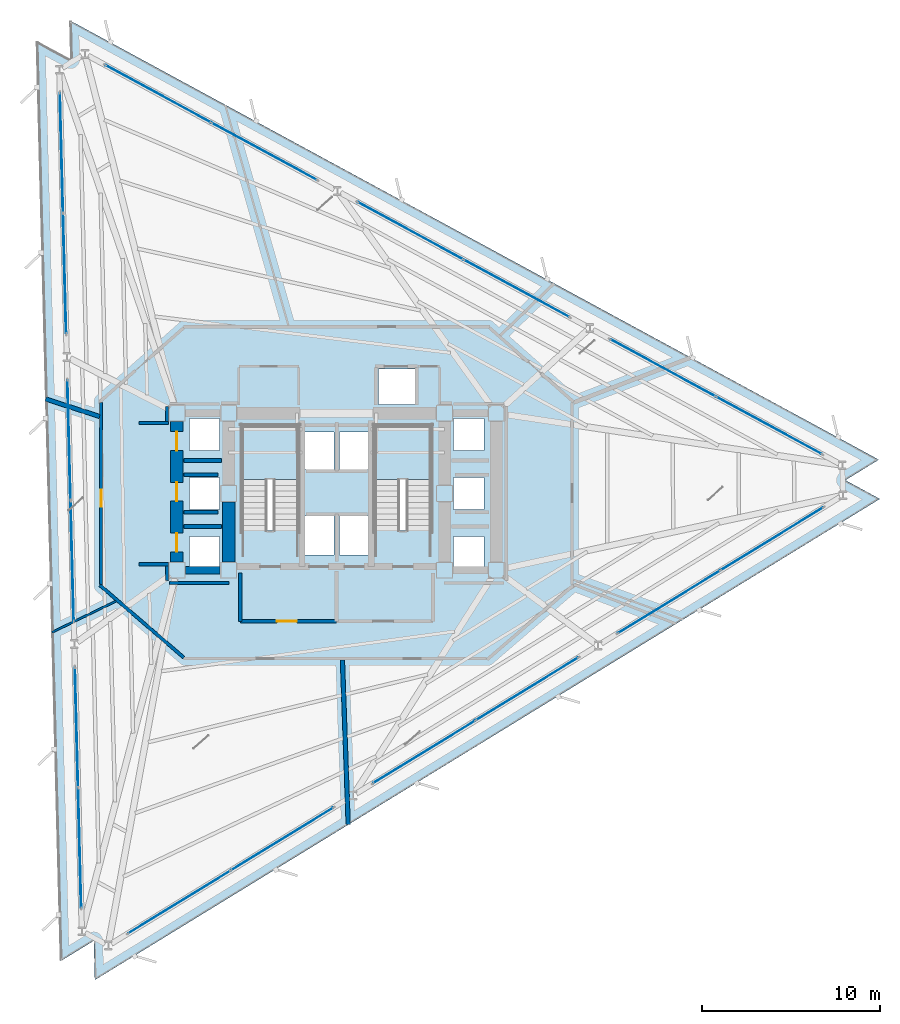
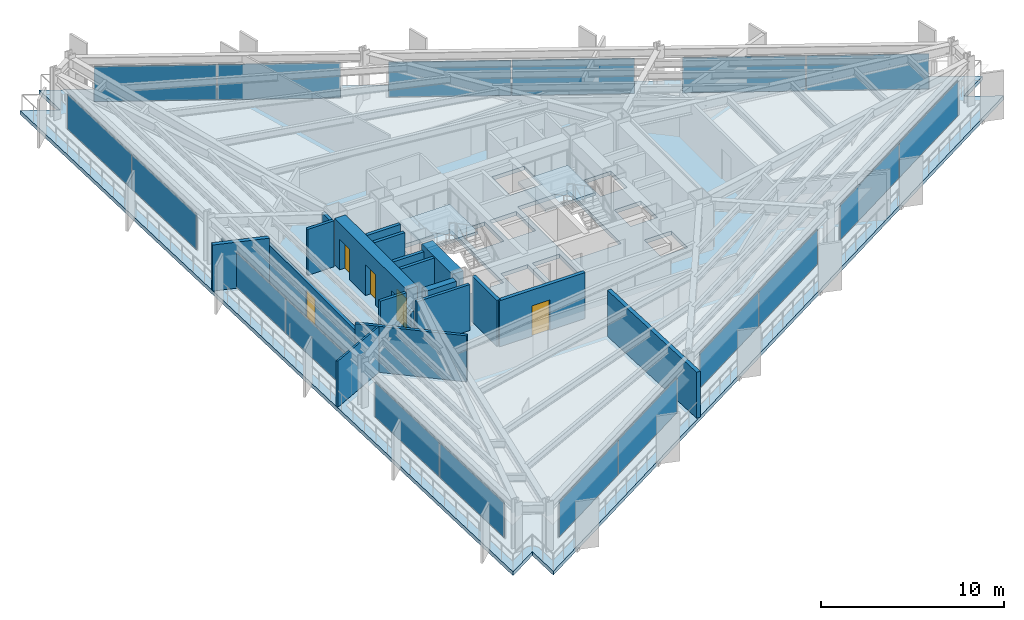
# One storey, part 7 of 14: 19 walls, 18 plates, 5 doors, 3 slabs, 5 openings, 11 elements without a shape of their own.
"""IFC4 building model written with IfcOpenShell, lengths in metres."""

from ifc_helpers import new_model, si_unit, direction, frame, frame_2d, origin, origin_2d, place, context, subcontext, project, spatial, polyline, rectangle, outline, extrude, material, layer, layer_set, type_object, element, fill, aggregate, save


model = new_model("IFC4")

# Units and contexts
model_context = context("Model", 3, precision=1e-05, world=origin(), true_north=direction((0.0, 1.0)))
body_context = subcontext(model_context, "Body", "Model", "MODEL_VIEW")
ifc_project = project(units=[si_unit("LENGTHUNIT", "METRE"), si_unit("AREAUNIT", "SQUARE_METRE"), si_unit("VOLUMEUNIT", "CUBIC_METRE"), si_unit("PLANEANGLEUNIT", "RADIAN"), si_unit("MASSUNIT", "GRAM", prefix="KILO")], contexts=[model_context])

# Site, building, storey
site_placement = place(None, origin())
site = spatial("IfcSite", under=ifc_project, at=site_placement, CompositionType="ELEMENT")
building_placement = place(site_placement, origin())
building = spatial("IfcBuilding", under=site, at=building_placement, Name="Rocaltana Carrier Exchange", CompositionType="ELEMENT")
storey_placement = place(building_placement, frame((0.0, 0.0, 25.60009765625)))
storey = spatial("IfcBuildingStorey", under=building, at=storey_placement, Name="L08", CompositionType="ELEMENT", Elevation=25.60009765625)

# Curtain wall, plates
ifc_material_1 = material(Name="Aluminium 6063-T6", Category="aluminium")
ifc_layer_1 = layer(ifc_material_1, 0.179931640625)
ifc_layer_set_1 = layer_set([ifc_layer_1], Name="Aluminium 6063-T6")
curtain_wall_type = type_object("IfcCurtainWallType", Name="Sandstone Spandrel Unitised Curtain Wall CW-01", PredefinedType="NOTDEFINED", material=ifc_layer_set_1)
curtain_wall_1_placement = place(storey_placement, origin())
curtain_wall_1 = element("IfcCurtainWall", 1, at=curtain_wall_1_placement, inside=storey, type_object=curtain_wall_type, Name="L08 CW-01 Run CW-L08-F1S1", PredefinedType="NOTDEFINED")
ifc_material_2 = material(Name="Tempered Laminated Glass", Category="glass")
ifc_layer_2 = layer(ifc_material_2, 0.0439453125)
ifc_layer_set_2 = layer_set([ifc_layer_2], Name="Tempered Laminated Glass")
plate_type = type_object("IfcPlateType", Name="CW-01 Stone-Insulated Vision Panel", PredefinedType="CURTAIN_PANEL", material=ifc_layer_set_2)
plate_1_placement = place(storey_placement, frame((24.23974609375, 3.8115234375, 0.06494140625), z_axis=(0.0, 0.0, 1.0), x_axis=(-0.878815639636, 0.477161473226, 0.0)))
plate_1 = element("IfcPlate", 2, at=plate_1_placement, type_object=plate_type, Name="CW-01 panel 1.1", PredefinedType="CURTAIN_PANEL", context=body_context, shape_type="SweptSolid", body=[
    extrude(rectangle(XDim=6.702392578125, YDim=0.0439453125, at=origin_2d()), origin(), (0.0, 0.0, 1.0), 2.347900390625),
])
plate_2_placement = place(storey_placement, frame((18.29248046875, 7.04052734375, 0.06494140625), z_axis=(0.0, 0.0, 1.0), x_axis=(-0.878815639636, 0.477161473226, 0.0)))
plate_2 = element("IfcPlate", 3, at=plate_2_placement, type_object=plate_type, Name="CW-01 panel 2.1", PredefinedType="CURTAIN_PANEL", context=body_context, shape_type="SweptSolid", body=[
    extrude(rectangle(XDim=6.702392578125, YDim=0.0439453125, at=origin_2d()), origin(), (0.0, 0.0, 1.0), 2.347900390625),
])
aggregate(curtain_wall_1, [plate_1, plate_2])

curtain_wall_2_placement = place(storey_placement, origin())
curtain_wall_2 = element("IfcCurtainWall", 4, at=curtain_wall_2_placement, inside=storey, type_object=curtain_wall_type, Name="L08 CW-01 Run CW-L08-F1S2", PredefinedType="NOTDEFINED")
plate_3_placement = place(storey_placement, frame((10.0908203125, 11.49365234375, 0.06494140625), z_axis=(0.0, 0.0, 1.0), x_axis=(-0.878814230428, 0.477164068636, 0.0)))
plate_3 = element("IfcPlate", 5, at=plate_3_placement, type_object=plate_type, Name="CW-01 panel 1.1", PredefinedType="CURTAIN_PANEL", context=body_context, shape_type="SweptSolid", body=[
    extrude(rectangle(XDim=6.70263671875, YDim=0.0439453125, at=origin_2d()), origin(), (0.0, 0.0, 1.0), 2.347900390625),
])
plate_4_placement = place(storey_placement, frame((4.1435546875, 14.722900390625, 0.06494140625), z_axis=(0.0, 0.0, 1.0), x_axis=(-0.878814230428, 0.477164068636, 0.0)))
plate_4 = element("IfcPlate", 6, at=plate_4_placement, type_object=plate_type, Name="CW-01 panel 2.1", PredefinedType="CURTAIN_PANEL", context=body_context, shape_type="SweptSolid", body=[
    extrude(rectangle(XDim=6.70263671875, YDim=0.0439453125, at=origin_2d()), origin(), (0.0, 0.0, 1.0), 2.347900390625),
])
aggregate(curtain_wall_2, [plate_3, plate_4])

curtain_wall_3_placement = place(storey_placement, origin())
curtain_wall_3 = element("IfcCurtainWall", 7, at=curtain_wall_3_placement, inside=storey, type_object=curtain_wall_type, Name="L08 CW-01 Run CW-L08-F1S3", PredefinedType="NOTDEFINED")
plate_5_placement = place(storey_placement, frame((-4.05810546875, 19.176025390625, 0.06494140625), z_axis=(0.0, 0.0, 1.0), x_axis=(-0.878818722982, 0.477155794406, 0.0)))
plate_5 = element("IfcPlate", 8, at=plate_5_placement, type_object=plate_type, Name="CW-01 panel 1.1", PredefinedType="CURTAIN_PANEL", context=body_context, shape_type="SweptSolid", body=[
    extrude(rectangle(XDim=6.702392578125, YDim=0.0439453125, at=origin_2d()), origin(), (0.0, 0.0, 1.0), 2.347900390625),
])
plate_6_placement = place(storey_placement, frame((-10.00537109375, 22.405029296875, 0.06494140625), z_axis=(0.0, 0.0, 1.0), x_axis=(-0.878818722982, 0.477155794406, 0.0)))
plate_6 = element("IfcPlate", 9, at=plate_6_placement, type_object=plate_type, Name="CW-01 panel 2.1", PredefinedType="CURTAIN_PANEL", context=body_context, shape_type="SweptSolid", body=[
    extrude(rectangle(XDim=6.702392578125, YDim=0.0439453125, at=origin_2d()), origin(), (0.0, 0.0, 1.0), 2.347900390625),
])
aggregate(curtain_wall_3, [plate_5, plate_6])

curtain_wall_4_placement = place(storey_placement, origin())
curtain_wall_4 = element("IfcCurtainWall", 10, at=curtain_wall_4_placement, inside=storey, type_object=curtain_wall_type, Name="L08 CW-01 Run CW-L08-F2S1", PredefinedType="NOTDEFINED")
plate_7_placement = place(storey_placement, frame((-15.420654296875, 19.086669921875, 0.06494140625), z_axis=(0.0, 0.0, 1.0), x_axis=(0.026183895077, -0.999657143044, 0.0)))
plate_7 = element("IfcPlate", 11, at=plate_7_placement, type_object=plate_type, Name="CW-01 panel 1.1", PredefinedType="CURTAIN_PANEL", context=body_context, shape_type="SweptSolid", body=[
    extrude(rectangle(XDim=6.702392578125, YDim=0.0439453125, at=origin_2d()), origin(), (0.0, 0.0, 1.0), 2.347900390625),
])
plate_8_placement = place(storey_placement, frame((-15.24365234375, 12.321533203125, 0.06494140625), z_axis=(0.0, 0.0, 1.0), x_axis=(0.026183895077, -0.999657143044, 0.0)))
plate_8 = element("IfcPlate", 12, at=plate_8_placement, type_object=plate_type, Name="CW-01 panel 2.1", PredefinedType="CURTAIN_PANEL", context=body_context, shape_type="SweptSolid", body=[
    extrude(rectangle(XDim=6.702392578125, YDim=0.0439453125, at=origin_2d()), origin(), (0.0, 0.0, 1.0), 2.347900390625),
])
aggregate(curtain_wall_4, [plate_7, plate_8])

curtain_wall_5_placement = place(storey_placement, origin())
curtain_wall_5 = element("IfcCurtainWall", 13, at=curtain_wall_5_placement, inside=storey, type_object=curtain_wall_type, Name="L08 CW-01 Run CW-L08-F2S2", PredefinedType="NOTDEFINED")
plate_9_placement = place(storey_placement, frame((-14.999267578125, 2.9921875, 0.06494140625), z_axis=(0.0, 0.0, 1.0), x_axis=(0.026176547142, -0.99965733548, 0.0)))
plate_9 = element("IfcPlate", 14, at=plate_9_placement, type_object=plate_type, Name="CW-01 panel 1.1", PredefinedType="CURTAIN_PANEL", context=body_context, shape_type="SweptSolid", body=[
    extrude(rectangle(XDim=6.702392578125, YDim=0.0439453125, at=origin_2d()), origin(), (0.0, 0.0, 1.0), 2.347900390625),
])
plate_10_placement = place(storey_placement, frame((-14.822021484375, -3.77294921875, 0.06494140625), z_axis=(0.0, 0.0, 1.0), x_axis=(0.026176547142, -0.99965733548, 0.0)))
plate_10 = element("IfcPlate", 15, at=plate_10_placement, type_object=plate_type, Name="CW-01 panel 2.1", PredefinedType="CURTAIN_PANEL", context=body_context, shape_type="SweptSolid", body=[
    extrude(rectangle(XDim=6.702392578125, YDim=0.0439453125, at=origin_2d()), origin(), (0.0, 0.0, 1.0), 2.347900390625),
])
aggregate(curtain_wall_5, [plate_9, plate_10])

curtain_wall_6_placement = place(storey_placement, origin())
curtain_wall_6 = element("IfcCurtainWall", 16, at=curtain_wall_6_placement, inside=storey, type_object=curtain_wall_type, Name="L08 CW-01 Run CW-L08-F2S3", PredefinedType="NOTDEFINED")
plate_11_placement = place(storey_placement, frame((-14.577880859375, -13.102294921875, 0.06494140625), z_axis=(0.0, 0.0, 1.0), x_axis=(0.026183895077, -0.999657143044, 0.0)))
plate_11 = element("IfcPlate", 17, at=plate_11_placement, type_object=plate_type, Name="CW-01 panel 1.1", PredefinedType="CURTAIN_PANEL", context=body_context, shape_type="SweptSolid", body=[
    extrude(rectangle(XDim=6.702392578125, YDim=0.0439453125, at=origin_2d()), origin(), (0.0, 0.0, 1.0), 2.347900390625),
])
plate_12_placement = place(storey_placement, frame((-14.400634765625, -19.867431640625, 0.06494140625), z_axis=(0.0, 0.0, 1.0), x_axis=(0.026183895077, -0.999657143044, 0.0)))
plate_12 = element("IfcPlate", 18, at=plate_12_placement, type_object=plate_type, Name="CW-01 panel 2.1", PredefinedType="CURTAIN_PANEL", context=body_context, shape_type="SweptSolid", body=[
    extrude(rectangle(XDim=6.702392578125, YDim=0.0439453125, at=origin_2d()), origin(), (0.0, 0.0, 1.0), 2.347900390625),
])
aggregate(curtain_wall_6, [plate_11, plate_12])

curtain_wall_7_placement = place(storey_placement, origin())
curtain_wall_7 = element("IfcCurtainWall", 19, at=curtain_wall_7_placement, inside=storey, type_object=curtain_wall_type, Name="L08 CW-01 Run CW-L08-F3S1", PredefinedType="NOTDEFINED")
plate_13_placement = place(storey_placement, frame((-8.819091796875, -22.898193359375, 0.06494140625), z_axis=(0.0, 0.0, 1.0), x_axis=(0.852636123996, 0.522505157925, 0.0)))
plate_13 = element("IfcPlate", 20, at=plate_13_placement, type_object=plate_type, Name="CW-01 panel 1.1", PredefinedType="CURTAIN_PANEL", context=body_context, shape_type="SweptSolid", body=[
    extrude(rectangle(XDim=6.70263671875, YDim=0.0439453125, at=origin_2d()), origin(), (0.0, 0.0, 1.0), 2.347900390625),
])
plate_14_placement = place(storey_placement, frame((-3.048828125, -19.362060546875, 0.06494140625), z_axis=(0.0, 0.0, 1.0), x_axis=(0.852636123996, 0.522505157925, 0.0)))
plate_14 = element("IfcPlate", 21, at=plate_14_placement, type_object=plate_type, Name="CW-01 panel 2.1", PredefinedType="CURTAIN_PANEL", context=body_context, shape_type="SweptSolid", body=[
    extrude(rectangle(XDim=6.70263671875, YDim=0.0439453125, at=origin_2d()), origin(), (0.0, 0.0, 1.0), 2.347900390625),
])
aggregate(curtain_wall_7, [plate_13, plate_14])

curtain_wall_8_placement = place(storey_placement, origin())
curtain_wall_8 = element("IfcCurtainWall", 22, at=curtain_wall_8_placement, inside=storey, type_object=curtain_wall_type, Name="L08 CW-01 Run CW-L08-F3S2", PredefinedType="NOTDEFINED")
plate_15_placement = place(storey_placement, frame((4.908447265625, -14.48583984375, 0.06494140625), z_axis=(0.0, 0.0, 1.0), x_axis=(0.852639399762, 0.522499812415, 0.0)))
plate_15 = element("IfcPlate", 23, at=plate_15_placement, type_object=plate_type, Name="CW-01 panel 1.1", PredefinedType="CURTAIN_PANEL", context=body_context, shape_type="SweptSolid", body=[
    extrude(rectangle(XDim=6.702392578125, YDim=0.0439453125, at=origin_2d()), origin(), (0.0, 0.0, 1.0), 2.347900390625),
])
plate_16_placement = place(storey_placement, frame((10.678466796875, -10.94970703125, 0.06494140625), z_axis=(0.0, 0.0, 1.0), x_axis=(0.852639399762, 0.522499812415, 0.0)))
plate_16 = element("IfcPlate", 24, at=plate_16_placement, type_object=plate_type, Name="CW-01 panel 2.1", PredefinedType="CURTAIN_PANEL", context=body_context, shape_type="SweptSolid", body=[
    extrude(rectangle(XDim=6.702392578125, YDim=0.0439453125, at=origin_2d()), origin(), (0.0, 0.0, 1.0), 2.347900390625),
])
aggregate(curtain_wall_8, [plate_15, plate_16])

curtain_wall_9_placement = place(storey_placement, origin())
curtain_wall_9 = element("IfcCurtainWall", 25, at=curtain_wall_9_placement, inside=storey, type_object=curtain_wall_type, Name="L08 CW-01 Run CW-L08-F3S3", PredefinedType="NOTDEFINED")
plate_17_placement = place(storey_placement, frame((18.6357421875, -6.07373046875, 0.06494140625), z_axis=(0.0, 0.0, 1.0), x_axis=(0.852639399762, 0.522499812415, 0.0)))
plate_17 = element("IfcPlate", 26, at=plate_17_placement, type_object=plate_type, Name="CW-01 panel 1.1", PredefinedType="CURTAIN_PANEL", context=body_context, shape_type="SweptSolid", body=[
    extrude(rectangle(XDim=6.702392578125, YDim=0.0439453125, at=origin_2d()), origin(), (0.0, 0.0, 1.0), 2.347900390625),
])
plate_18_placement = place(storey_placement, frame((24.406005859375, -2.53759765625, 0.06494140625), z_axis=(0.0, 0.0, 1.0), x_axis=(0.852639399762, 0.522499812415, 0.0)))
plate_18 = element("IfcPlate", 27, at=plate_18_placement, type_object=plate_type, Name="CW-01 panel 2.1", PredefinedType="CURTAIN_PANEL", context=body_context, shape_type="SweptSolid", body=[
    extrude(rectangle(XDim=6.702392578125, YDim=0.0439453125, at=origin_2d()), origin(), (0.0, 0.0, 1.0), 2.347900390625),
])
aggregate(curtain_wall_9, [plate_17, plate_18])

# Slab
ifc_material_3 = material(Name="Concrete C60/75", Category="concrete")
ifc_layer_3 = layer(ifc_material_3, 0.260009765625)
ifc_layer_set_3 = layer_set([ifc_layer_3], Name="Concrete C60/75")
slab_type_1 = type_object("IfcSlabType", Name="Low-Zone Tower Slab 260", PredefinedType="FLOOR", material=ifc_layer_set_3)
slab_1_placement = place(storey_placement, frame((0.0, 0.0, -0.260009765625)))
element("IfcSlab", 28, at=slab_1_placement, inside=storey, type_object=slab_type_1, Name="L08 Structural Floor Slab", PredefinedType="FLOOR", context=body_context, shape_type="SweptSolid", body=[
    extrude(outline(polyline([(30.444580078125, -0.30322265625), (28.51123046875, 0.74658203125), (30.38720703125, 1.89599609375), (-14.959716796875, 26.517578125), (-14.902099609375, 24.318115234375), (-16.835693359375, 25.367919921875), (-15.48486328125, -26.21435546875), (-13.609130859375, -25.064697265625), (-13.551513671875, -27.26416015625), (30.444580078125, -0.30322265625)]), holes=[polyline([(-5.300048828125, -2.06005859375), (-2.139892578125, -2.06005859375), (-2.139892578125, 3.800048828125), (-5.300048828125, 3.800048828125), (-5.300048828125, -2.06005859375)]), polyline([(2.139892578125, -2.06005859375), (5.300048828125, -2.06005859375), (5.300048828125, 3.800048828125), (2.139892578125, 3.800048828125), (2.139892578125, -2.06005859375)]), polyline([(-1.85009765625, -3.449951171875), (-0.14990234375, -3.449951171875), (-0.14990234375, -1.25), (-1.85009765625, -1.25), (-1.85009765625, -3.449951171875)]), polyline([(0.14990234375, -3.449951171875), (1.85009765625, -3.449951171875), (1.85009765625, -1.25), (0.14990234375, -1.25), (0.14990234375, -3.449951171875)]), polyline([(2.35009765625, 4.97998046875), (4.39990234375, 4.97998046875), (4.39990234375, 6.97998046875), (2.35009765625, 6.97998046875), (2.35009765625, 4.97998046875)]), polyline([(-1.85009765625, 1.35009765625), (-0.14990234375, 1.35009765625), (-0.14990234375, 3.449951171875), (-1.85009765625, 3.449951171875), (-1.85009765625, 1.35009765625)]), polyline([(0.14990234375, 1.35009765625), (1.85009765625, 1.35009765625), (1.85009765625, 3.449951171875), (0.14990234375, 3.449951171875), (0.14990234375, 1.35009765625)]), polyline([(-8.25, -4.199951171875), (-6.550048828125, -4.199951171875), (-6.550048828125, -2.39990234375), (-8.25, -2.39990234375), (-8.25, -4.199951171875)]), polyline([(-8.25, -0.89990234375), (-6.550048828125, -0.89990234375), (-6.550048828125, 0.89990234375), (-8.25, 0.89990234375), (-8.25, -0.89990234375)]), polyline([(-8.25, 2.39990234375), (-6.550048828125, 2.39990234375), (-6.550048828125, 4.199951171875), (-8.25, 4.199951171875), (-8.25, 2.39990234375)]), polyline([(6.550048828125, -4.199951171875), (8.25, -4.199951171875), (8.25, -2.39990234375), (6.550048828125, -2.39990234375), (6.550048828125, -4.199951171875)]), polyline([(6.550048828125, -0.89990234375), (8.25, -0.89990234375), (8.25, 0.89990234375), (6.550048828125, 0.89990234375), (6.550048828125, -0.89990234375)]), polyline([(6.550048828125, 2.39990234375), (8.25, 2.39990234375), (8.25, 4.199951171875), (6.550048828125, 4.199951171875), (6.550048828125, 2.39990234375)])]), origin(), (0.0, 0.0, 1.0), 0.260009765625),
])

# Stair, slab
ifc_material_4 = material(Name="Precast concrete C45/55", Category="concrete")
stair_type = type_object("IfcStairType", Name="Standard Dog-Leg Stair 160", PredefinedType="HALF_TURN_STAIR", material=ifc_material_4)
stair_1_placement = place(storey_placement, origin())
stair_1 = element("IfcStair", 29, at=stair_1_placement, inside=storey, type_object=stair_type, Name="L08 Core West Exit Stair ST-1", PredefinedType="HALF_TURN_STAIR")
ifc_material_5 = material(Name="Precast concrete C45/55", Category="concrete")
ifc_layer_4 = layer(ifc_material_5, 0.199951171875)
ifc_layer_set_4 = layer_set([ifc_layer_4], Name="Precast concrete C45/55")
slab_type_2 = type_object("IfcSlabType", Name="Precast Stair Half-Landing 200", PredefinedType="LANDING", material=ifc_layer_set_4)
slab_2_placement = place(storey_placement, frame((0.0, 0.0, 1.47998046875)))
slab_2 = element("IfcSlab", 30, at=slab_2_placement, type_object=slab_type_2, Name="ST-1 landing 1", PredefinedType="LANDING", context=body_context, shape_type="SweptSolid", body=[
    extrude(outline(polyline([(-2.139892578125, 0.780029296875), (-2.139892578125, 3.800048828125), (-5.300048828125, 3.800048828125), (-5.300048828125, 0.780029296875), (-2.139892578125, 0.780029296875)])), origin(), (0.0, 0.0, 1.0), 0.199951171875),
])
aggregate(stair_1, [slab_2])

stair_2_placement = place(storey_placement, origin())
stair_2 = element("IfcStair", 31, at=stair_2_placement, inside=storey, type_object=stair_type, Name="L08 Core East Exit Stair ST-2", PredefinedType="HALF_TURN_STAIR")
slab_3_placement = place(storey_placement, frame((0.0, 0.0, 1.47998046875)))
slab_3 = element("IfcSlab", 32, at=slab_3_placement, type_object=slab_type_2, Name="ST-2 landing 1", PredefinedType="LANDING", context=body_context, shape_type="SweptSolid", body=[
    extrude(outline(polyline([(5.300048828125, 0.780029296875), (5.300048828125, 3.800048828125), (2.139892578125, 3.800048828125), (2.139892578125, 0.780029296875), (5.300048828125, 0.780029296875)])), origin(), (0.0, 0.0, 1.0), 0.199951171875),
])
aggregate(stair_2, [slab_3])

# Walls
ifc_material_6 = material(Name="Concrete C50/60", Category="concrete")
ifc_layer_5 = layer(ifc_material_6, 0.39990234375)
ifc_layer_set_5 = layer_set([ifc_layer_5], Name="Concrete C50/60")
wall_type_1 = type_object("IfcWallType", Name="Core Internal Shear Wall 400", PredefinedType="SHEAR", material=ifc_layer_set_5)
wall_1_placement = place(storey_placement, frame((-8.47509765625, -4.300048828125, 0.0), z_axis=(0.0, 0.0, 1.0), x_axis=(1.0, 0.0, 0.0)))
element("IfcWall", 33, at=wall_1_placement, inside=storey, type_object=wall_type_1, Name="L08 Core Shear Wall CW-WWS", PredefinedType="SHEAR", context=body_context, shape_type="SweptSolid", body=[
    extrude(rectangle(XDim=1.9501953125, YDim=0.39990234375, at=frame_2d((0.97509765625, 0.0))), origin(), (0.0, 0.0, 1.0), 3.097900390625),
])
ifc_material_7 = material(Name="Concrete C60/75", Category="concrete")
ifc_layer_6 = layer(ifc_material_7, 0.699951171875)
ifc_layer_set_6 = layer_set([ifc_layer_6], Name="Concrete C60/75")
wall_type_2 = type_object("IfcWallType", Name="Core Shear Wall 700", PredefinedType="SHEAR", material=ifc_layer_set_6)
wall_2_placement = place(storey_placement, frame((-6.050048828125, -3.824951171875, 0.0), z_axis=(0.0, 0.0, 1.0), x_axis=(0.0, 1.0, 0.0)))
element("IfcWall", 34, at=wall_2_placement, inside=storey, type_object=wall_type_2, Name="L08 Core Shear Wall CW-WS", PredefinedType="SHEAR", context=body_context, shape_type="SweptSolid", body=[
    extrude(rectangle(XDim=3.349853515625, YDim=0.699951171875, at=frame_2d((1.6748046875, 0.0))), origin(), (0.0, 0.0, 1.0), 3.097900390625),
])

# Wall, openings, doors
wall_3_placement = place(storey_placement, frame((-8.949951171875, -3.824951171875, 0.0), z_axis=(0.0, 0.0, 1.0), x_axis=(0.0, 1.0, 0.0)))
wall_3 = element("IfcWall", 35, at=wall_3_placement, inside=storey, type_object=wall_type_2, Name="L08 Core Shear Wall CW-WW", PredefinedType="SHEAR", context=body_context, shape_type="SweptSolid", body=[
    extrude(rectangle(XDim=7.849853515625, YDim=0.699951171875, at=frame_2d((3.9248046875, 0.0))), origin(), (0.0, 0.0, 1.0), 3.097900390625),
])
opening_1_placement = place(wall_3_placement, frame((0.550048828125, 0.0, 0.0)))
opening_1 = element("IfcOpeningElement", 36, at=opening_1_placement, cuts=wall_3, Name="Opening LD-110", PredefinedType="OPENING", context=body_context, shape_type="SweptSolid", body=[
    extrude(rectangle(XDim=1.06005859375, YDim=2.0400390625, at=frame_2d((0.530029296875, 1.02001953125))), frame((0.0, 0.35986328125, 0.0), z_axis=(0.0, -1.0, 0.0), x_axis=(1.0, 0.0, 0.0)), (0.0, 0.0, 1.0), 0.719970703125),
])
opening_2_placement = place(wall_3_placement, frame((3.39501953125, 0.0, 0.0)))
opening_2 = element("IfcOpeningElement", 37, at=opening_2_placement, cuts=wall_3, Name="Opening LD-110", PredefinedType="OPENING", context=body_context, shape_type="SweptSolid", body=[
    extrude(rectangle(XDim=1.06005859375, YDim=2.0400390625, at=frame_2d((0.530029296875, 1.02001953125))), frame((0.0, 0.35986328125, 0.0), z_axis=(0.0, -1.0, 0.0), x_axis=(1.0, 0.0, 0.0)), (0.0, 0.0, 1.0), 0.719970703125),
])
opening_3_placement = place(wall_3_placement, frame((6.22998046875, 0.0, 0.0)))
opening_3 = element("IfcOpeningElement", 38, at=opening_3_placement, cuts=wall_3, Name="Opening LD-110", PredefinedType="OPENING", context=body_context, shape_type="SweptSolid", body=[
    extrude(rectangle(XDim=1.06005859375, YDim=2.0400390625, at=frame_2d((0.530029296875, 1.02001953125))), frame((0.0, 0.35986328125, 0.0), z_axis=(0.0, -1.0, 0.0), x_axis=(1.0, 0.0, 0.0)), (0.0, 0.0, 1.0), 0.719970703125),
])
ifc_material_8 = material(Name="Brushed Stainless Sliding Door Leaf", Category="steel")
door_type_1 = type_object("IfcDoorType", Name="Lift Landing Sliding Door 1060x2040", OperationType="NOTDEFINED", PredefinedType="DOOR", material=ifc_material_8)
door_1_placement = place(opening_1_placement, origin())
door_1 = element("IfcDoor", 39, at=door_1_placement, inside=storey, type_object=door_type_1, Name="L08 Low-Rise Lift PL-L1 Landing Door", OperationType="SLIDING_TO_LEFT", OverallHeight=2.0400390625, OverallWidth=1.06005859375, PredefinedType="DOOR", context=body_context, shape_type="SweptSolid", body=[
    extrude(rectangle(XDim=1.06005859375, YDim=2.0400390625, at=frame_2d((0.530029296875, 1.02001953125))), frame((0.0, 0.02490234375, 0.0), z_axis=(0.0, -1.0, 0.0), x_axis=(1.0, 0.0, 0.0)), (0.0, 0.0, 1.0), 0.050048828125),
])
fill(opening_1, door_1)
door_2_placement = place(opening_2_placement, origin())
door_2 = element("IfcDoor", 40, at=door_2_placement, inside=storey, type_object=door_type_1, Name="L08 Low-Rise Lift PL-L2 Landing Door", OperationType="SLIDING_TO_RIGHT", OverallHeight=2.0400390625, OverallWidth=1.06005859375, PredefinedType="DOOR", context=body_context, shape_type="SweptSolid", body=[
    extrude(rectangle(XDim=1.06005859375, YDim=2.0400390625, at=frame_2d((0.530029296875, 1.02001953125))), frame((0.0, 0.02490234375, 0.0), z_axis=(0.0, -1.0, 0.0), x_axis=(1.0, 0.0, 0.0)), (0.0, 0.0, 1.0), 0.050048828125),
])
fill(opening_2, door_2)
door_3_placement = place(opening_3_placement, origin())
door_3 = element("IfcDoor", 41, at=door_3_placement, inside=storey, type_object=door_type_1, Name="L08 Low-Rise Lift PL-L3 Landing Door", OperationType="SLIDING_TO_LEFT", OverallHeight=2.0400390625, OverallWidth=1.06005859375, PredefinedType="DOOR", context=body_context, shape_type="SweptSolid", body=[
    extrude(rectangle(XDim=1.06005859375, YDim=2.0400390625, at=frame_2d((0.530029296875, 1.02001953125))), frame((0.0, 0.02490234375, 0.0), z_axis=(0.0, -1.0, 0.0), x_axis=(1.0, 0.0, 0.0)), (0.0, 0.0, 1.0), 0.050048828125),
])
fill(opening_3, door_3)

# Wall
ifc_material_9 = material(Name="Gypsum & Steel Stud Partition", Category="steel")
ifc_layer_7 = layer(ifc_material_9, 0.179931640625)
ifc_layer_set_7 = layer_set([ifc_layer_7], Name="Gypsum & Steel Stud Partition")
wall_type_3 = type_object("IfcWallType", Name="Corridor Fire Partition 180 EI60", PredefinedType="PARTITIONING", material=ifc_layer_set_7)
wall_4_placement = place(storey_placement, frame((-8.568115234375, -9.191162109375, 0.0), z_axis=(0.0, 0.0, 1.0), x_axis=(-0.757556899173, 0.652769135694, 0.0)))
element("IfcWall", 42, at=wall_4_placement, inside=storey, type_object=wall_type_3, Name="L08 Corridor Partition 6", PredefinedType="PARTITIONING", context=body_context, shape_type="SweptSolid", body=[
    extrude(rectangle(XDim=6.204345703125, YDim=0.179931640625, at=frame_2d((3.10205078125, 0.0))), origin(), (0.0, 0.0, 1.0), 3.072998046875),
])

# Wall, opening, door
wall_5_placement = place(storey_placement, frame((-13.199951171875, -5.110107421875, 0.0), z_axis=(0.0, 0.0, 1.0), x_axis=(0.0, 1.0, 0.0)))
wall_5 = element("IfcWall", 43, at=wall_5_placement, inside=storey, type_object=wall_type_3, Name="L08 Corridor Partition 7", PredefinedType="PARTITIONING", context=body_context, shape_type="SweptSolid", body=[
    extrude(rectangle(XDim=10.22021484375, YDim=0.179931640625, at=frame_2d((5.110107421875, 0.0))), origin(), (0.0, 0.0, 1.0), 2.5869140625),
])
opening_4_placement = place(wall_5_placement, frame((4.361328125, 0.0, 0.0)))
opening_4 = element("IfcOpeningElement", 44, at=opening_4_placement, cuts=wall_5, Name="Opening D-RM098", PredefinedType="OPENING", context=body_context, shape_type="SweptSolid", body=[
    extrude(rectangle(XDim=0.9599609375, YDim=2.02001953125, at=frame_2d((0.47998046875, 1.010009765625))), frame((0.0, 0.099853515625, 0.0), z_axis=(0.0, -1.0, 0.0), x_axis=(1.0, 0.0, 0.0)), (0.0, 0.0, 1.0), 0.199951171875),
])
ifc_material_10 = material(Name="Engineered Hardwood Timber", Category="wood")
door_type_2 = type_object("IfcDoorType", Name="Workspace Single Door 960x2020", OperationType="NOTDEFINED", PredefinedType="DOOR", material=ifc_material_10)
door_4_placement = place(opening_4_placement, origin())
door_4 = element("IfcDoor", 45, at=door_4_placement, inside=storey, type_object=door_type_2, Name="L08 Cloud Architecture Office Entrance Door", OperationType="SINGLE_SWING_LEFT", OverallHeight=2.02001953125, OverallWidth=0.9599609375, PredefinedType="DOOR", context=body_context, shape_type="SweptSolid", body=[
    extrude(rectangle(XDim=0.9599609375, YDim=2.02001953125, at=frame_2d((0.47998046875, 1.010009765625))), frame((0.0, 0.02490234375, 0.0), z_axis=(0.0, -1.0, 0.0), x_axis=(1.0, 0.0, 0.0)), (0.0, 0.0, 1.0), 0.050048828125),
])
fill(opening_4, door_4)

# Walls
wall_6_placement = place(storey_placement, frame((-9.510009765625, 4.8701171875, 0.0), z_axis=(0.0, 0.0, 1.0), x_axis=(0.0, -1.0, 0.0)))
element("IfcWall", 46, at=wall_6_placement, inside=storey, type_object=wall_type_3, Name="L08 Corridor Partition 9", PredefinedType="PARTITIONING", context=body_context, shape_type="SweptSolid", body=[
    extrude(rectangle(XDim=0.820068359375, YDim=0.179931640625, at=frame_2d((0.41015625, 0.0))), origin(), (0.0, 0.0, 1.0), 3.072998046875),
])
for number, where, z_axis, x_axis, name in (
    (47, (-9.419921875, 3.9599609375, 0.0), (0.0, 0.0, 1.0), (-1.0, 0.0, 0.0), "L08 Corridor Partition 10"),
    (48, (-11.070068359375, -3.9599609375, 0.0), (0.0, 0.0, 1.0), (1.0, 0.0, 0.0), "L08 Corridor Partition 11"),
):
    element("IfcWall", number, at=place(storey_placement, frame(where, z_axis=z_axis, x_axis=x_axis)), inside=storey, type_object=wall_type_3, Name=name, PredefinedType="PARTITIONING", context=body_context, shape_type="SweptSolid", body=[
        extrude(rectangle(XDim=1.650146484375, YDim=0.179931640625, at=frame_2d((0.8251953125, 0.0))), origin(), (0.0, 0.0, 1.0), 3.072998046875),
    ])
wall_7_placement = place(storey_placement, frame((-9.510009765625, -4.050048828125, 0.0), z_axis=(0.0, 0.0, 1.0), x_axis=(0.0, -1.0, 0.0)))
element("IfcWall", 49, at=wall_7_placement, inside=storey, type_object=wall_type_3, Name="L08 Corridor Partition 12", PredefinedType="PARTITIONING", context=body_context, shape_type="SweptSolid", body=[
    extrude(rectangle(XDim=0.820068359375, YDim=0.179931640625, at=frame_2d((0.41015625, 0.0))), origin(), (0.0, 0.0, 1.0), 2.35791015625),
])
wall_8_placement = place(storey_placement, frame((-9.3701171875, -5.010009765625, 0.0), z_axis=(0.0, 0.0, 1.0), x_axis=(1.0, 0.0, 0.0)))
element("IfcWall", 50, at=wall_8_placement, inside=storey, type_object=wall_type_3, Name="L08 Corridor Partition 13", PredefinedType="PARTITIONING", context=body_context, shape_type="SweptSolid", body=[
    extrude(rectangle(XDim=3.340087890625, YDim=0.179931640625, at=frame_2d((1.669921875, 0.0))), origin(), (0.0, 0.0, 1.0), 3.072998046875),
])
ifc_material_11 = material(Name="Aluminium 6063-T6 & Acoustic Glass", Category="aluminium")
ifc_layer_8 = layer(ifc_material_11, 0.114990234375)
ifc_layer_set_8 = layer_set([ifc_layer_8], Name="Aluminium 6063-T6 & Acoustic Glass")
wall_type_4 = type_object("IfcWallType", Name="Demountable Glazed Lab Partition 115", PredefinedType="MOVABLE", material=ifc_layer_set_8)
wall_9_placement = place(storey_placement, frame((-12.36083984375, -6.02880859375, 0.0), z_axis=(0.0, 0.0, 1.0), x_axis=(-0.898800692661, -0.438357519466, 0.0)))
element("IfcWall", 51, at=wall_9_placement, inside=storey, type_object=wall_type_4, Name="L08 Suite Divider Wall D1", PredefinedType="MOVABLE", context=body_context, shape_type="SweptSolid", body=[
    extrude(rectangle(XDim=4.001708984375, YDim=0.114990234375, at=frame_2d((2.0009765625, 0.0))), origin(), (0.0, 0.0, 1.0), 3.072998046875),
])
ifc_material_12 = material(Name="Autoclaved Aerated Concrete C30/37", Category="concrete")
ifc_layer_9 = layer(ifc_material_12, 0.219970703125)
ifc_layer_set_9 = layer_set([ifc_layer_9], Name="Autoclaved Aerated Concrete C30/37")
wall_type_5 = type_object("IfcWallType", Name="Firefighting Lobby Wall 220 EI120", PredefinedType="PARTITIONING", material=ifc_layer_set_9)
wall_10_placement = place(storey_placement, frame((-5.39990234375, -7.159912109375, 0.0), z_axis=(0.0, 0.0, 1.0), x_axis=(0.0, 1.0, 0.0)))
element("IfcWall", 52, at=wall_10_placement, inside=storey, type_object=wall_type_5, Name="L08 FFL Lobby 1 West Wall", PredefinedType="PARTITIONING", context=body_context, shape_type="SweptSolid", body=[
    extrude(rectangle(XDim=2.7099609375, YDim=0.219970703125, at=frame_2d((1.35498046875, 0.0))), origin(), (0.0, 0.0, 1.0), 3.072998046875),
])

# Wall, opening, door
wall_11_placement = place(storey_placement, frame((-5.39990234375, -7.159912109375, 0.0), z_axis=(0.0, 0.0, 1.0), x_axis=(1.0, 0.0, 0.0)))
wall_11 = element("IfcWall", 53, at=wall_11_placement, inside=storey, type_object=wall_type_5, Name="L08 FFL Lobby 1 South Wall", PredefinedType="PARTITIONING", context=body_context, shape_type="SweptSolid", body=[
    extrude(rectangle(XDim=5.39990234375, YDim=0.219970703125, at=frame_2d((2.699951171875, 0.0))), origin(), (0.0, 0.0, 1.0), 3.072998046875),
])
opening_5_placement = place(wall_11_placement, frame((2.050048828125, 0.0, 0.0)))
opening_5 = element("IfcOpeningElement", 54, at=opening_5_placement, cuts=wall_11, Name="Opening D-FF115", PredefinedType="OPENING", context=body_context, shape_type="SweptSolid", body=[
    extrude(rectangle(XDim=1.1201171875, YDim=2.02001953125, at=frame_2d((0.56005859375, 1.010009765625))), frame((0.0, 0.119873046875, 0.0), z_axis=(0.0, -1.0, 0.0), x_axis=(1.0, 0.0, 0.0)), (0.0, 0.0, 1.0), 0.239990234375),
])
ifc_material_13 = material(Name="Hollow Metal Fire Door Assembly", Category="steel")
door_type_3 = type_object("IfcDoorType", Name="Firefighting Lobby Door 1120x2020 FD60S", OperationType="NOTDEFINED", PredefinedType="DOOR", material=ifc_material_13)
door_5_placement = place(opening_5_placement, origin())
door_5 = element("IfcDoor", 55, at=door_5_placement, inside=storey, type_object=door_type_3, Name="L08 Firefighting Lift Lobby 1 Door", OperationType="SINGLE_SWING_LEFT", OverallHeight=2.02001953125, OverallWidth=1.1201171875, PredefinedType="DOOR", context=body_context, shape_type="SweptSolid", body=[
    extrude(rectangle(XDim=1.1201171875, YDim=2.02001953125, at=frame_2d((0.56005859375, 1.010009765625))), frame((0.0, 0.02490234375, 0.0), z_axis=(0.0, -1.0, 0.0), x_axis=(1.0, 0.0, 0.0)), (0.0, 0.0, 1.0), 0.050048828125),
])
fill(opening_5, door_5)

# Walls
ifc_material_14 = material(Name="Acoustic Calcium Silicate Partition", Category="gypsum")
ifc_layer_10 = layer(ifc_material_14, 0.239990234375)
ifc_layer_set_10 = layer_set([ifc_layer_10], Name="Acoustic Calcium Silicate Partition")
wall_type_6 = type_object("IfcWallType", Name="Heavy Lab Partition 240 EI90", PredefinedType="PARTITIONING", material=ifc_layer_set_10)
wall_12_placement = place(storey_placement, frame((0.32568359375, -9.330078125, 0.0), z_axis=(0.0, 0.0, 1.0), x_axis=(0.034901543767, -0.999390755532, 0.0)))
element("IfcWall", 56, at=wall_12_placement, inside=storey, type_object=wall_type_6, Name="L08 Suite Divider Wall D2", PredefinedType="PARTITIONING", context=body_context, shape_type="SweptSolid", body=[
    extrude(rectangle(XDim=9.2265625, YDim=0.239990234375, at=frame_2d((4.61328125, 0.0))), origin(), (0.0, 0.0, 1.0), 3.072998046875),
])
wall_13_placement = place(storey_placement, frame((-13.280029296875, 4.31494140625, 0.0), z_axis=(0.0, 0.0, 1.0), x_axis=(-0.951062315171, 0.3089991467, 0.0)))
element("IfcWall", 57, at=wall_13_placement, inside=storey, type_object=wall_type_6, Name="L08 Suite Divider Wall D8", PredefinedType="PARTITIONING", context=body_context, shape_type="SweptSolid", body=[
    extrude(rectangle(XDim=3.175537109375, YDim=0.239990234375, at=frame_2d((1.587890625, 0.0))), origin(), (0.0, 0.0, 1.0), 3.072998046875),
])
ifc_material_15 = material(Name="Reinforced Concrete Block C35/45", Category="concrete")
ifc_layer_11 = layer(ifc_material_15, 0.199951171875)
ifc_layer_set_11 = layer_set([ifc_layer_11], Name="Reinforced Concrete Block C35/45")
wall_type_7 = type_object("IfcWallType", Name="Lift Hoistway Enclosure Wall 200 EI120", PredefinedType="PARTITIONING", material=ifc_layer_set_11)
for number, where, z_axis, x_axis, name in (
    (58, (-8.550048828125, -1.85009765625, 0.0), (0.0, 0.0, 1.0), (1.0, 0.0, 0.0), "L08 Low-Rise Shaft Divider 1"),
    (59, (-8.550048828125, 1.85009765625, 0.0), (0.0, 0.0, 1.0), (1.0, 0.0, 0.0), "L08 Low-Rise Shaft Divider 2"),
):
    element("IfcWall", number, at=place(storey_placement, frame(where, z_axis=z_axis, x_axis=x_axis)), inside=storey, type_object=wall_type_7, Name=name, PredefinedType="PARTITIONING", context=body_context, shape_type="SweptSolid", body=[
        extrude(rectangle(XDim=2.10009765625, YDim=0.199951171875, at=frame_2d((1.050048828125, 0.0))), origin(), (0.0, 0.0, 1.0), 3.072998046875),
    ])
for number, where, z_axis, x_axis, name in (
    (60, (-8.550048828125, -1.050048828125, 0.0), (0.0, 0.0, 1.0), (1.0, 0.0, 0.0), "L08 Low-Rise Center Shaft Wall South"),
    (61, (-8.550048828125, 1.050048828125, 0.0), (0.0, 0.0, 1.0), (1.0, 0.0, 0.0), "L08 Low-Rise Center Shaft Wall North"),
):
    element("IfcWall", number, at=place(storey_placement, frame(where, z_axis=z_axis, x_axis=x_axis)), inside=storey, type_object=wall_type_7, Name=name, PredefinedType="PARTITIONING", context=body_context, shape_type="SweptSolid", body=[
        extrude(rectangle(XDim=1.91015625, YDim=0.199951171875, at=frame_2d((0.955078125, 0.0))), origin(), (0.0, 0.0, 1.0), 3.072998046875),
    ])

save(model, "model.ifc")
